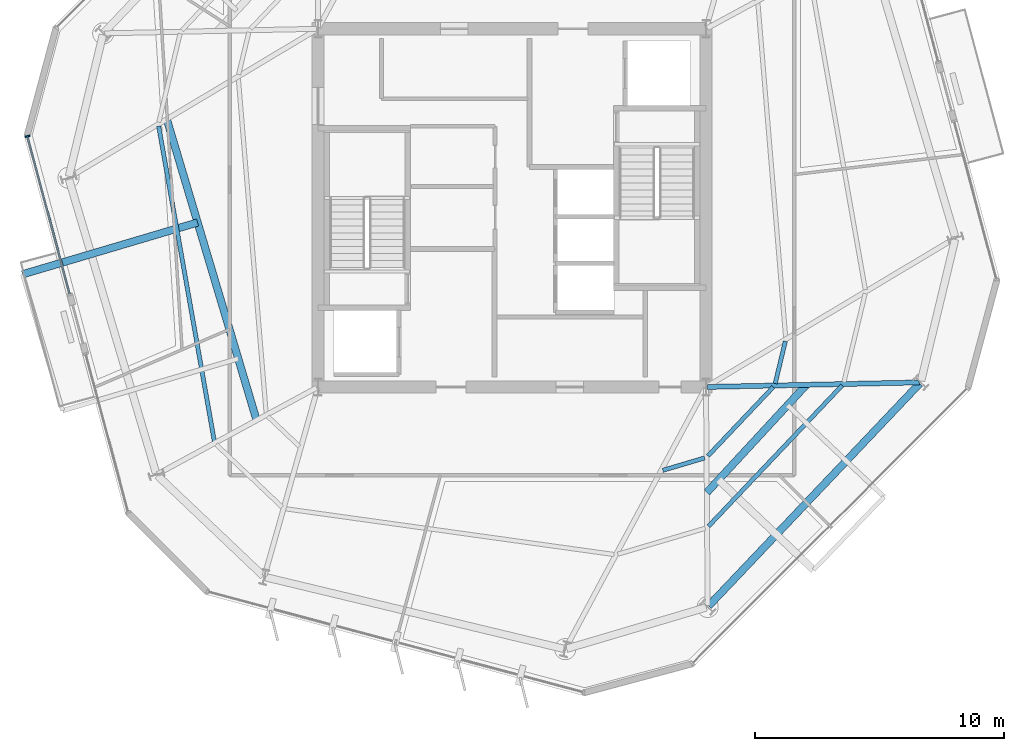
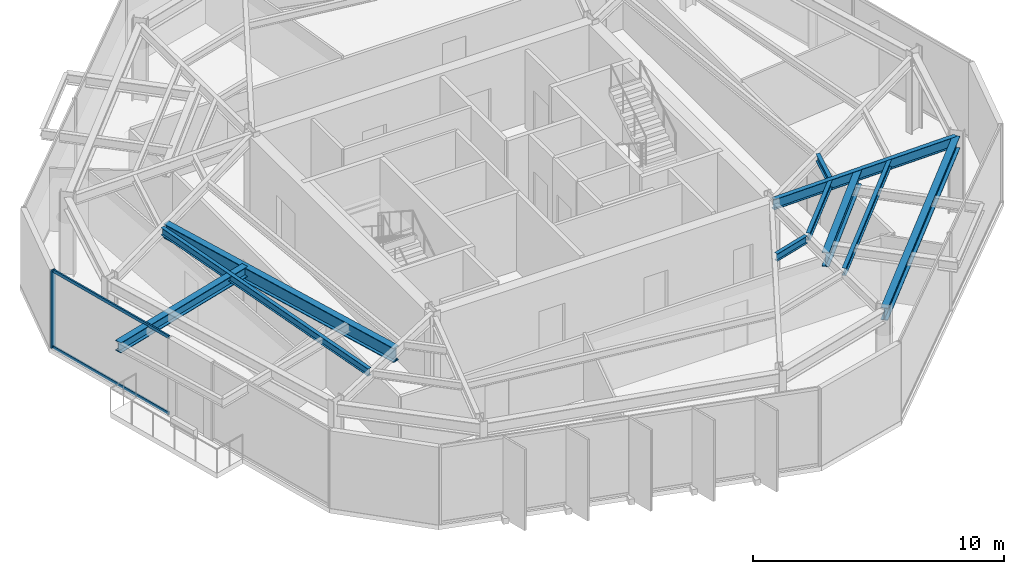
# One storey, part 3 of 12: 10 beams, 3 members, 1 element without a shape of its own.
"""IFC4 building model written with IfcOpenShell, lengths in metres."""

from ifc_helpers import new_model, si_unit, direction, frame, origin, origin_2d, place, context, subcontext, project, spatial, rectangle, i_section, extrude, material, layer, layer_set, material_profile, profile_set, type_object, element, aggregate, save


model = new_model("IFC4")

# Units and contexts
model_context = context("Model", 3, precision=1e-05, world=origin(), true_north=direction((0.0, 1.0)))
body_context = subcontext(model_context, "Body", "Model", "MODEL_VIEW")
ifc_project = project(units=[si_unit("LENGTHUNIT", "METRE"), si_unit("AREAUNIT", "SQUARE_METRE"), si_unit("VOLUMEUNIT", "CUBIC_METRE"), si_unit("PLANEANGLEUNIT", "RADIAN"), si_unit("MASSUNIT", "GRAM", prefix="KILO")], contexts=[model_context])

# Site, building, storey
site_placement = place(None, origin())
site = spatial("IfcSite", under=ifc_project, at=site_placement, CompositionType="ELEMENT")
building_placement = place(site_placement, origin())
building = spatial("IfcBuilding", under=site, at=building_placement, Name="Kranzbogen Civic Tower", CompositionType="ELEMENT")
storey_placement = place(building_placement, frame((0.0, 0.0, 204.800048828125)))
storey = spatial("IfcBuildingStorey", under=building, at=storey_placement, Name="L49", CompositionType="ELEMENT", Elevation=204.800048828125)

# Curtain wall, members
ifc_material_1 = material(Name="Pale Anodised Aluminium", Category="aluminium")
ifc_layer = layer(ifc_material_1, 0.219970703125, Name="Pale Anodised Aluminium")
ifc_layer_set = layer_set([ifc_layer], Name="Pale Anodised Aluminium")
curtain_wall_type = type_object("IfcCurtainWallType", Name="Zone 3 Stick Curtain Wall System CW-04", PredefinedType="USERDEFINED", material=ifc_layer_set)
curtain_wall_placement = place(storey_placement, origin())
curtain_wall = element("IfcCurtainWall", 1, at=curtain_wall_placement, inside=storey, type_object=curtain_wall_type, Name="L49 curtain wall CW-L49-F3-S1", ObjectType="STICK CURTAIN WALL", PredefinedType="USERDEFINED")
ifc_material_profile_1 = material_profile(ifc_material_1, rectangle(XDim=0.070068359375, YDim=0.199951171875, at=origin_2d()), Name="ALU-M 70x200")
ifc_profile_set_1 = profile_set([ifc_material_profile_1], Name="Pale Anodised Aluminium")
member_type_1 = type_object("IfcMemberType", Name="Curtain Wall Mullion ALU-M 70x200", PredefinedType="MULLION", material=ifc_profile_set_1)
member_1_placement = place(storey_placement, frame((5.518798828125, 27.880126953125, 0.0), z_axis=(0.0, 0.0, 1.0), x_axis=(0.258803696103, -0.96592993891, 0.0)))
member_1 = element("IfcMember", 2, at=member_1_placement, type_object=member_type_1, Name="CW-04 mullion 1", PredefinedType="MULLION", context=body_context, shape_type="SweptSolid", body=[
    extrude(rectangle(XDim=0.070068359375, YDim=0.199951171875, at=origin_2d()), origin(), (0.0, 0.0, 1.0), 3.780029296875),
])
ifc_material_profile_2 = material_profile(ifc_material_1, rectangle(XDim=0.070068359375, YDim=0.14990234375, at=origin_2d()), Name="ALU-T 70x150")
ifc_profile_set_2 = profile_set([ifc_material_profile_2], Name="Pale Anodised Aluminium")
member_type_2 = type_object("IfcMemberType", Name="Curtain Wall Transom ALU-T 70x150", PredefinedType="USERDEFINED", material=ifc_profile_set_2)
member_2_placement = place(storey_placement, frame((5.526611328125, 27.85107421875, 0.030029296875), z_axis=(0.258802079563, -0.965930372032, 0.0), x_axis=(0.965930372032, 0.258802079563, 0.0)))
member_2 = element("IfcMember", 3, at=member_2_placement, type_object=member_type_2, Name="CW-04 transom 1.1", ObjectType="TRANSOM", PredefinedType="USERDEFINED", context=body_context, shape_type="SweptSolid", body=[
    extrude(rectangle(XDim=0.070068359375, YDim=0.14990234375, at=origin_2d()), origin(), (0.0, 0.0, 1.0), 6.53369140625),
])
member_3_placement = place(storey_placement, frame((5.526611328125, 27.85107421875, 3.75), z_axis=(0.258802079563, -0.965930372032, 0.0), x_axis=(0.965930372032, 0.258802079563, 0.0)))
member_3 = element("IfcMember", 4, at=member_3_placement, type_object=member_type_2, Name="CW-04 transom 1.2", ObjectType="TRANSOM", PredefinedType="USERDEFINED", context=body_context, shape_type="SweptSolid", body=[
    extrude(rectangle(XDim=0.070068359375, YDim=0.14990234375, at=origin_2d()), origin(), (0.0, 0.0, 1.0), 6.53369140625),
])
aggregate(curtain_wall, [member_1, member_2, member_3])

# Beams
ifc_material_2 = material(Name="Steel S355", Category="steel")
ifc_material_profile_3 = material_profile(ifc_material_2, i_section(OverallWidth=0.300048828125, OverallDepth=0.5, WebThickness=0.014404296875, FlangeThickness=0.028076171875, at=origin_2d()), Name="HEB 500")
ifc_profile_set_3 = profile_set([ifc_material_profile_3], Name="Steel S355")
beam_type_1 = type_object("IfcBeamType", Name="Perimeter Tube Spandrel Beam HEB 500", PredefinedType="SPANDREL", material=ifc_profile_set_3)
beam_1_placement = place(storey_placement, frame((12.360107421875, 24.4140625, 3.469970703125), z_axis=(-0.958810519624, -0.284046452995, 0.0), x_axis=(0.284046452995, -0.958810519624, 0.0)))
element("IfcBeam", 5, at=beam_1_placement, inside=storey, type_object=beam_type_1, Name="L50 back-spanned terrace beam L50-ST-1", PredefinedType="SPANDREL", context=body_context, shape_type="SweptSolid", body=[
    extrude(i_section(OverallWidth=0.300048828125, OverallDepth=0.5, WebThickness=0.014404296875, FlangeThickness=0.028076171875, at=origin_2d()), origin(), (0.0, 0.0, 1.0), 7.344482421875),
])
ifc_material_profile_4 = material_profile(ifc_material_2, i_section(OverallWidth=0.300048828125, OverallDepth=0.60009765625, WebThickness=0.015380859375, FlangeThickness=0.030029296875, at=origin_2d()), Name="HEB 600")
ifc_profile_set_4 = profile_set([ifc_material_profile_4], Name="Steel S355")
beam_type_2 = type_object("IfcBeamType", Name="Perimeter Tube Spandrel Beam HEB 600", PredefinedType="SPANDREL", material=ifc_profile_set_4)
beam_2_placement = place(storey_placement, frame((32.907958984375, 9.0, 3.47998046875), z_axis=(0.688373497874, 0.725356414065, 0.0), x_axis=(-0.725356414065, 0.688373497874, 0.0)))
element("IfcBeam", 6, at=beam_2_placement, inside=storey, type_object=beam_type_2, Name="L49 perimeter spandrel beam 04", PredefinedType="SPANDREL", context=body_context, shape_type="SweptSolid", body=[
    extrude(i_section(OverallWidth=0.300048828125, OverallDepth=0.60009765625, WebThickness=0.015380859375, FlangeThickness=0.030029296875, at=origin_2d()), origin(), (0.0, 0.0, 1.0), 12.324951171875),
])
ifc_material_profile_5 = material_profile(ifc_material_2, i_section(OverallWidth=0.300048828125, OverallDepth=0.699951171875, WebThickness=0.01708984375, FlangeThickness=0.031982421875, at=origin_2d()), Name="HEB 700")
ifc_profile_set_5 = profile_set([ifc_material_profile_5], Name="Steel S355")
beam_type_3 = type_object("IfcBeamType", Name="Perimeter Tube Spandrel Beam HEB 700", PredefinedType="SPANDREL", material=ifc_profile_set_5)
beam_3_placement = place(storey_placement, frame((32.83203125, 13.555908203125, 3.39990234375), z_axis=(0.678733988671, 0.734384213218, 0.0), x_axis=(-0.734384213218, 0.678733988671, 0.0)))
element("IfcBeam", 7, at=beam_3_placement, inside=storey, type_object=beam_type_3, Name="L50 balcony back-span header girder L50-TB2", PredefinedType="SPANDREL", context=body_context, shape_type="SweptSolid", body=[
    extrude(i_section(OverallWidth=0.300048828125, OverallDepth=0.699951171875, WebThickness=0.01708984375, FlangeThickness=0.031982421875, at=origin_2d()), origin(), (0.0, 0.0, 1.0), 5.896240234375),
])
beam_4_placement = place(storey_placement, frame((11.12109375, 28.568115234375, 3.369873046875), z_axis=(0.285870808606, -0.95826816747, 0.0), x_axis=(0.95826816747, 0.285870808606, 0.0)))
element("IfcBeam", 8, at=beam_4_placement, inside=storey, type_object=beam_type_3, Name="L50 balcony back-span header girder L50-ST", PredefinedType="SPANDREL", context=body_context, shape_type="SweptSolid", body=[
    extrude(i_section(OverallWidth=0.300048828125, OverallDepth=0.699951171875, WebThickness=0.01708984375, FlangeThickness=0.031982421875, at=origin_2d()), origin(), (0.0, 0.0, 1.0), 12.634521484375),
])
ifc_material_profile_6 = material_profile(ifc_material_2, i_section(OverallWidth=0.199951171875, OverallDepth=0.5, WebThickness=0.01025390625, FlangeThickness=0.01611328125, at=origin_2d()), Name="IPE 500")
ifc_profile_set_6 = profile_set([ifc_material_profile_6], Name="Steel S355")
beam_type_4 = type_object("IfcBeamType", Name="Radial Tower Floor Girder IPE 500", PredefinedType="BEAM", material=ifc_profile_set_6)
beam_5_placement = place(storey_placement, frame((41.373046875, 17.98291015625, 3.530029296875), z_axis=(-0.99977183191, -0.021360808018, 0.0), x_axis=(0.021360808018, -0.99977183191, 0.0)))
element("IfcBeam", 9, at=beam_5_placement, inside=storey, type_object=beam_type_4, Name="L49 radial floor girder 05", PredefinedType="BEAM", context=body_context, shape_type="SweptSolid", body=[
    extrude(i_section(OverallWidth=0.199951171875, OverallDepth=0.5, WebThickness=0.01025390625, FlangeThickness=0.01611328125, at=origin_2d()), origin(), (0.0, 0.0, 1.0), 8.514892578125),
])
ifc_material_profile_7 = material_profile(ifc_material_2, i_section(OverallWidth=0.169921875, OverallDepth=0.360107421875, WebThickness=0.008056640625, FlangeThickness=0.0126953125, at=origin_2d()), Name="IPE 360")
ifc_profile_set_7 = profile_set([ifc_material_profile_7], Name="Steel S355")
beam_type_5 = type_object("IfcBeamType", Name="Secondary Composite Floor Joist IPE 360", PredefinedType="JOIST", material=ifc_profile_set_7)
beam_6_placement = place(storey_placement, frame((31.06591796875, 14.449951171875, 3.599853515625), z_axis=(0.958871214757, 0.283841493638, 0.0), x_axis=(-0.283841493638, 0.958871214757, 0.0)))
element("IfcBeam", 10, at=beam_6_placement, inside=storey, type_object=beam_type_5, Name="L49 secondary floor joist 2.03", PredefinedType="JOIST", context=body_context, shape_type="SweptSolid", body=[
    extrude(i_section(OverallWidth=0.169921875, OverallDepth=0.360107421875, WebThickness=0.008056640625, FlangeThickness=0.0126953125, at=origin_2d()), origin(), (0.0, 0.0, 1.0), 1.751220703125),
])
beam_7_placement = place(storey_placement, frame((32.89794921875, 12.197998046875, 3.599853515625), z_axis=(0.688282381634, 0.725442873789, 0.0), x_axis=(-0.725442873789, 0.688282381634, 0.0)))
element("IfcBeam", 11, at=beam_7_placement, inside=storey, type_object=beam_type_5, Name="L49 secondary floor joist 1.04", PredefinedType="JOIST", context=body_context, shape_type="SweptSolid", body=[
    extrude(i_section(OverallWidth=0.169921875, OverallDepth=0.360107421875, WebThickness=0.008056640625, FlangeThickness=0.0126953125, at=origin_2d()), origin(), (0.0, 0.0, 1.0), 7.804931640625),
])
beam_8_placement = place(storey_placement, frame((32.876953125, 15.028076171875, 3.599853515625), z_axis=(0.688175084876, 0.725544659243, 0.0), x_axis=(-0.725544659243, 0.688175084876, 0.0)))
element("IfcBeam", 12, at=beam_8_placement, inside=storey, type_object=beam_type_5, Name="L49 secondary floor joist 2.04", PredefinedType="JOIST", context=body_context, shape_type="SweptSolid", body=[
    extrude(i_section(OverallWidth=0.169921875, OverallDepth=0.360107421875, WebThickness=0.008056640625, FlangeThickness=0.0126953125, at=origin_2d()), origin(), (0.0, 0.0, 1.0), 3.82177734375),
])
beam_9_placement = place(storey_placement, frame((35.5810546875, 17.93701171875, 3.599853515625), z_axis=(0.233631438607, 0.972325228972, 0.0), x_axis=(-0.972325228972, 0.233631438607, 0.0)))
element("IfcBeam", 13, at=beam_9_placement, inside=storey, type_object=beam_type_5, Name="L49 secondary floor joist 2.05", PredefinedType="JOIST", context=body_context, shape_type="SweptSolid", body=[
    extrude(i_section(OverallWidth=0.169921875, OverallDepth=0.360107421875, WebThickness=0.008056640625, FlangeThickness=0.0126953125, at=origin_2d()), origin(), (0.0, 0.0, 1.0), 1.750244140625),
])
beam_10_placement = place(storey_placement, frame((10.7958984375, 28.287109375, 3.599853515625), z_axis=(0.173805911364, -0.984779927281, 0.0), x_axis=(0.984779927281, 0.173805911364, 0.0)))
element("IfcBeam", 14, at=beam_10_placement, inside=storey, type_object=beam_type_5, Name="L49 secondary floor joist 1.12", PredefinedType="JOIST", context=body_context, shape_type="SweptSolid", body=[
    extrude(i_section(OverallWidth=0.169921875, OverallDepth=0.360107421875, WebThickness=0.008056640625, FlangeThickness=0.0126953125, at=origin_2d()), origin(), (0.0, 0.0, 1.0), 12.85986328125),
])

save(model, "model.ifc")
